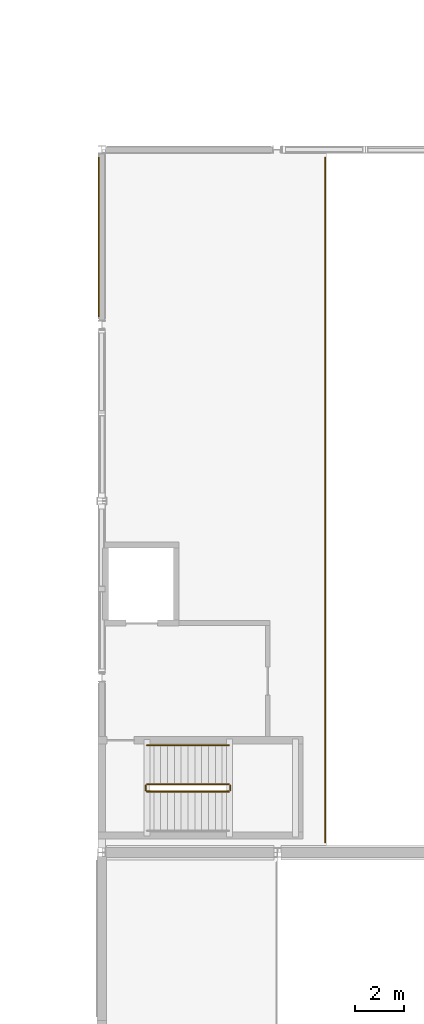
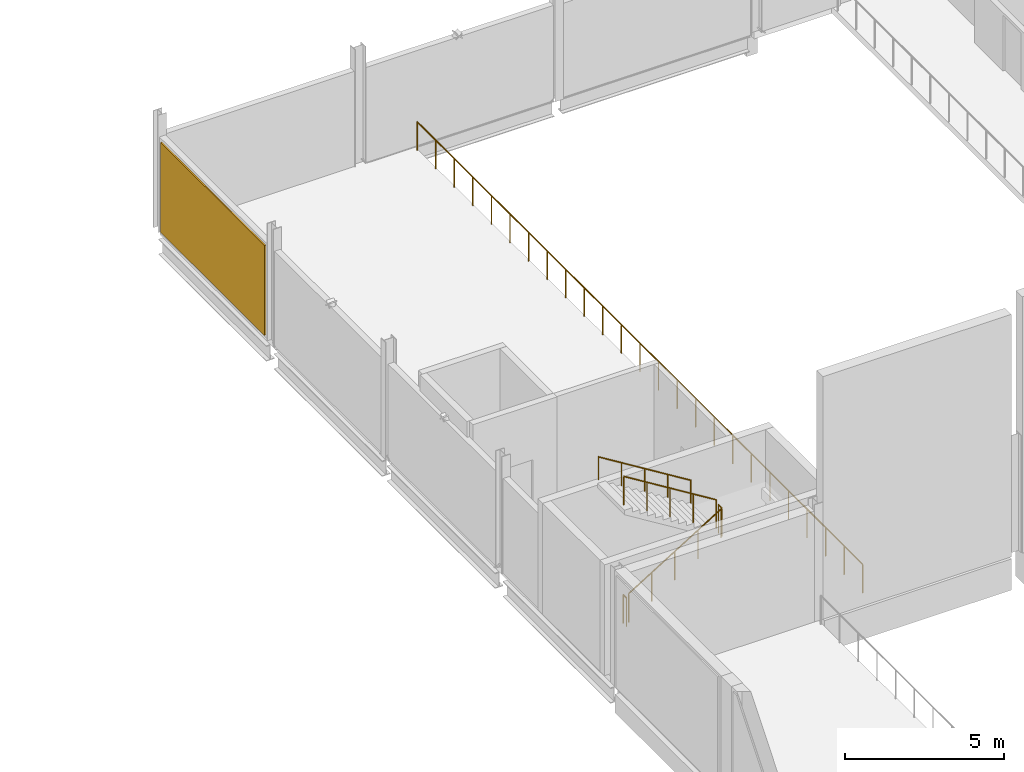
# One storey, part 72 of 76: 6 railings, 1 covering.
"""IFC4 building model written with IfcOpenShell, lengths in metres."""

from ifc_helpers import new_model, si_unit, direction, frame, origin, origin_2d, place, context, subcontext, project, spatial, rectangle, circle, extrude, material, layer, layer_set, type_object, element, save


model = new_model("IFC4")

# Units and contexts
model_context = context("Model", 3, precision=1e-05, world=origin(), true_north=direction((0.0, 1.0)))
body_context = subcontext(model_context, "Body", "Model", "MODEL_VIEW")
ifc_project = project(units=[si_unit("LENGTHUNIT", "METRE"), si_unit("AREAUNIT", "SQUARE_METRE"), si_unit("VOLUMEUNIT", "CUBIC_METRE"), si_unit("PLANEANGLEUNIT", "RADIAN"), si_unit("MASSUNIT", "GRAM", prefix="KILO"), si_unit("THERMODYNAMICTEMPERATUREUNIT", "KELVIN"), si_unit("POWERUNIT", "WATT")], contexts=[model_context])

# Site, building, storey
site_placement = place(None, origin())
site = spatial("IfcSite", under=ifc_project, at=site_placement, CompositionType="ELEMENT")
building_placement = place(site_placement, origin())
building = spatial("IfcBuilding", under=site, at=building_placement, Name="Kaldorven Railside Theatre", CompositionType="ELEMENT")
storey_placement = place(building_placement, frame((0.0, 0.0, 14.39990234375)))
storey = spatial("IfcBuildingStorey", under=building, at=storey_placement, Name="L03", CompositionType="ELEMENT", Elevation=14.39990234375)

# Covering
ifc_material_1 = material(Name="Bush-hammered precast concrete C40/50", Category="concrete")
ifc_layer = layer(ifc_material_1, 0.050048828125, Name="Bush-hammered precast concrete C40/50")
ifc_layer_set = layer_set([ifc_layer], Name="Bush-hammered precast concrete C40/50")
covering_type = type_object("IfcCoveringType", Name="COV-CLD-01", PredefinedType="CLADDING", material=ifc_layer_set)
covering_placement = place(storey_placement, frame((87.069091796875, 109.219970703125, 0.10009765625), z_axis=(0.0, 0.0, 1.0), x_axis=(0.0, 1.0, 0.0)))
element("IfcCovering", 1, at=covering_placement, inside=storey, type_object=covering_type, Name="Bush-Hammered Laterite Rainscreen Panel CLD-039", PredefinedType="CLADDING", context=body_context, shape_type="SweptSolid", body=[
    extrude(rectangle(XDim=6.5400390625, YDim=0.050048828125, at=origin_2d()), origin(), (0.0, 0.0, 1.0), 3.455078125),
])

# Railings
ifc_material_2 = material(Name="Anodised bronze aluminium", Category="aluminium")
railing_type_1 = type_object("IfcRailingType", Name="RLG-BAL-1100", PredefinedType="BALUSTRADE", material=ifc_material_2)
railing_1_placement = place(storey_placement, frame((96.360107421875, 112.469970703125, 0.0)))
element("IfcRailing", 2, at=railing_1_placement, inside=storey, type_object=railing_type_1, Name="L03 Safety Balustrade GR-125", PredefinedType="BALUSTRADE", context=body_context, shape_type="SweptSolid", body=[
    extrude(circle(Radius=0.02392578125, at=origin_2d()), frame((0.0, 0.0, 1.09619140625), z_axis=(0.0, -1.0, 0.0), x_axis=(1.0, 0.0, 0.0)), (0.0, 0.0, 1.0), 28.050048828125),
    extrude(circle(Radius=0.02099609375, at=origin_2d()), origin(), (0.0, 0.0, 1.0), 1.072021484375),
    extrude(circle(Radius=0.02099609375, at=origin_2d()), frame((0.0, -1.168701171875, 0.0)), (0.0, 0.0, 1.0), 1.072021484375),
    extrude(circle(Radius=0.02099609375, at=origin_2d()), frame((0.0, -2.33740234375, 0.0)), (0.0, 0.0, 1.0), 1.072021484375),
    extrude(circle(Radius=0.02099609375, at=origin_2d()), frame((0.0, -3.50634765625, 0.0)), (0.0, 0.0, 1.0), 1.072021484375),
    extrude(circle(Radius=0.02099609375, at=origin_2d()), frame((0.0, -4.675048828125, 0.0)), (0.0, 0.0, 1.0), 1.072021484375),
    extrude(circle(Radius=0.02099609375, at=origin_2d()), frame((0.0, -5.84375, 0.0)), (0.0, 0.0, 1.0), 1.072021484375),
    extrude(circle(Radius=0.02099609375, at=origin_2d()), frame((0.0, -7.012451171875, 0.0)), (0.0, 0.0, 1.0), 1.072021484375),
    extrude(circle(Radius=0.02099609375, at=origin_2d()), frame((0.0, -8.18115234375, 0.0)), (0.0, 0.0, 1.0), 1.072021484375),
    extrude(circle(Radius=0.02099609375, at=origin_2d()), frame((0.0, -9.35009765625, 0.0)), (0.0, 0.0, 1.0), 1.072021484375),
    extrude(circle(Radius=0.02099609375, at=origin_2d()), frame((0.0, -10.518798828125, 0.0)), (0.0, 0.0, 1.0), 1.072021484375),
    extrude(circle(Radius=0.02099609375, at=origin_2d()), frame((0.0, -11.6875, 0.0)), (0.0, 0.0, 1.0), 1.072021484375),
    extrude(circle(Radius=0.02099609375, at=origin_2d()), frame((0.0, -12.856201171875, 0.0)), (0.0, 0.0, 1.0), 1.072021484375),
    extrude(circle(Radius=0.02099609375, at=origin_2d()), frame((0.0, -14.02490234375, 0.0)), (0.0, 0.0, 1.0), 1.072021484375),
    extrude(circle(Radius=0.02099609375, at=origin_2d()), frame((0.0, -15.19384765625, 0.0)), (0.0, 0.0, 1.0), 1.072021484375),
    extrude(circle(Radius=0.02099609375, at=origin_2d()), frame((0.0, -16.362548828125, 0.0)), (0.0, 0.0, 1.0), 1.072021484375),
    extrude(circle(Radius=0.02099609375, at=origin_2d()), frame((0.0, -17.53125, 0.0)), (0.0, 0.0, 1.0), 1.072021484375),
    extrude(circle(Radius=0.02099609375, at=origin_2d()), frame((0.0, -18.699951171875, 0.0)), (0.0, 0.0, 1.0), 1.072021484375),
    extrude(circle(Radius=0.02099609375, at=origin_2d()), frame((0.0, -19.868896484375, 0.0)), (0.0, 0.0, 1.0), 1.072021484375),
    extrude(circle(Radius=0.02099609375, at=origin_2d()), frame((0.0, -21.03759765625, 0.0)), (0.0, 0.0, 1.0), 1.072021484375),
    extrude(circle(Radius=0.02099609375, at=origin_2d()), frame((0.0, -22.206298828125, 0.0)), (0.0, 0.0, 1.0), 1.072021484375),
    extrude(circle(Radius=0.02099609375, at=origin_2d()), frame((0.0, -23.375, 0.0)), (0.0, 0.0, 1.0), 1.072021484375),
    extrude(circle(Radius=0.02099609375, at=origin_2d()), frame((0.0, -24.543701171875, 0.0)), (0.0, 0.0, 1.0), 1.072021484375),
    extrude(circle(Radius=0.02099609375, at=origin_2d()), frame((0.0, -25.712646484375, 0.0)), (0.0, 0.0, 1.0), 1.072021484375),
    extrude(circle(Radius=0.02099609375, at=origin_2d()), frame((0.0, -26.88134765625, 0.0)), (0.0, 0.0, 1.0), 1.072021484375),
    extrude(circle(Radius=0.02099609375, at=origin_2d()), frame((0.0, -28.050048828125, 0.0)), (0.0, 0.0, 1.0), 1.072021484375),
])
ifc_material_3 = material(Name="Steel S355", Category="steel")
railing_type_2 = type_object("IfcRailingType", Name="RLG-STG-1100", PredefinedType="BALUSTRADE", material=ifc_material_3)
railing_2_placement = place(storey_placement, frame((89.050048828125, 86.5, 0.173095703125)))
element("IfcRailing", 3, at=railing_2_placement, inside=storey, type_object=railing_type_2, Name="L03 ST-05 stair guard 1", PredefinedType="BALUSTRADE", context=body_context, shape_type="SweptSolid", body=[
    extrude(circle(Radius=0.02392578125, at=origin_2d()), frame((0.0, 0.0, 1.09619140625), z_axis=(0.850606129759, 0.0, 0.525803396734), x_axis=(0.0, 1.0, 0.0)), (0.0, 0.0, 1.0), 3.949951171875),
    extrude(circle(Radius=0.02099609375, at=origin_2d()), origin(), (0.0, 0.0, 1.0), 1.072021484375),
    extrude(circle(Radius=0.02099609375, at=origin_2d()), frame((0.83984375, 0.0, 0.519287109375)), (0.0, 0.0, 1.0), 1.072021484375),
    extrude(circle(Radius=0.02099609375, at=origin_2d()), frame((1.679931640625, 0.0, 1.03857421875)), (0.0, 0.0, 1.0), 1.072021484375),
    extrude(circle(Radius=0.02099609375, at=origin_2d()), frame((2.52001953125, 0.0, 1.5576171875)), (0.0, 0.0, 1.0), 1.072021484375),
    extrude(circle(Radius=0.02099609375, at=origin_2d()), frame((3.35986328125, 0.0, 2.076904296875)), (0.0, 0.0, 1.0), 1.072021484375),
])
railing_3_placement = place(storey_placement, frame((92.4599609375, 86.550048828125, 2.25)))
element("IfcRailing", 4, at=railing_3_placement, inside=storey, type_object=railing_type_2, Name="L03 ST-05 stair guard 2", PredefinedType="BALUSTRADE", context=body_context, shape_type="SweptSolid", body=[
    extrude(circle(Radius=0.02392578125, at=origin_2d()), frame((0.0, 0.0, 1.09619140625), z_axis=(0.0, 1.0, 0.0), x_axis=(-1.0, 0.0, 0.0)), (0.0, 0.0, 1.0), 0.199951171875),
    extrude(circle(Radius=0.02099609375, at=origin_2d()), origin(), (0.0, 0.0, 1.0), 1.072021484375),
    extrude(circle(Radius=0.02099609375, at=origin_2d()), frame((0.0, 0.199951171875, 0.0)), (0.0, 0.0, 1.0), 1.072021484375),
])
railing_4_placement = place(storey_placement, frame((92.409912109375, 86.800048828125, 2.423095703125)))
element("IfcRailing", 5, at=railing_4_placement, inside=storey, type_object=railing_type_2, Name="L03 ST-05 stair guard 3", PredefinedType="BALUSTRADE", context=body_context, shape_type="SweptSolid", body=[
    extrude(circle(Radius=0.02392578125, at=origin_2d()), frame((0.0, 0.0, 1.09619140625), z_axis=(-0.850606129759, 0.0, 0.525803396734), x_axis=(0.0, -1.0, 0.0)), (0.0, 0.0, 1.0), 3.949951171875),
    extrude(circle(Radius=0.02099609375, at=origin_2d()), origin(), (0.0, 0.0, 1.0), 1.072021484375),
    extrude(circle(Radius=0.02099609375, at=origin_2d()), frame((-0.83984375, 0.0, 0.519287109375)), (0.0, 0.0, 1.0), 1.072021484375),
    extrude(circle(Radius=0.02099609375, at=origin_2d()), frame((-1.679931640625, 0.0, 1.03857421875)), (0.0, 0.0, 1.0), 1.072021484375),
    extrude(circle(Radius=0.02099609375, at=origin_2d()), frame((-2.52001953125, 0.0, 1.5576171875)), (0.0, 0.0, 1.0), 1.072021484375),
    extrude(circle(Radius=0.02099609375, at=origin_2d()), frame((-3.35986328125, 0.0, 2.076904296875)), (0.0, 0.0, 1.0), 1.072021484375),
])
railing_5_placement = place(storey_placement, frame((89.0, 86.550048828125, 0.0)))
element("IfcRailing", 6, at=railing_5_placement, inside=storey, type_object=railing_type_2, Name="L03 ST-05 stair guard 4", PredefinedType="BALUSTRADE", context=body_context, shape_type="SweptSolid", body=[
    extrude(circle(Radius=0.02392578125, at=origin_2d()), frame((0.0, 0.0, 1.09619140625), z_axis=(0.0, 1.0, 0.0), x_axis=(-1.0, 0.0, 0.0)), (0.0, 0.0, 1.0), 0.199951171875),
    extrude(circle(Radius=0.02099609375, at=origin_2d()), origin(), (0.0, 0.0, 1.0), 1.072021484375),
    extrude(circle(Radius=0.02099609375, at=origin_2d()), frame((0.0, 0.199951171875, 0.0)), (0.0, 0.0, 1.0), 1.072021484375),
])
railing_type_3 = type_object("IfcRailingType", Name="RLG-STH-900", PredefinedType="HANDRAIL", material=ifc_material_3)
railing_6_placement = place(storey_placement, frame((92.409912109375, 88.39990234375, 2.423095703125)))
element("IfcRailing", 7, at=railing_6_placement, inside=storey, type_object=railing_type_3, Name="L03 ST-05 stair handrail 2", PredefinedType="HANDRAIL", context=body_context, shape_type="SweptSolid", body=[
    extrude(circle(Radius=0.02392578125, at=origin_2d()), frame((0.0, 0.0, 0.8759765625), z_axis=(-0.850606129759, 0.0, 0.525803396734), x_axis=(0.0, -1.0, 0.0)), (0.0, 0.0, 1.0), 3.949951171875),
    extrude(circle(Radius=0.02099609375, at=origin_2d()), origin(), (0.0, 0.0, 1.0), 0.851806640625),
    extrude(circle(Radius=0.02099609375, at=origin_2d()), frame((-0.83984375, 0.0, 0.519287109375)), (0.0, 0.0, 1.0), 0.851806640625),
    extrude(circle(Radius=0.02099609375, at=origin_2d()), frame((-1.679931640625, 0.0, 1.03857421875)), (0.0, 0.0, 1.0), 0.851806640625),
    extrude(circle(Radius=0.02099609375, at=origin_2d()), frame((-2.52001953125, 0.0, 1.5576171875)), (0.0, 0.0, 1.0), 0.851806640625),
    extrude(circle(Radius=0.02099609375, at=origin_2d()), frame((-3.35986328125, 0.0, 2.076904296875)), (0.0, 0.0, 1.0), 0.851806640625),
])

save(model, "model.ifc")
